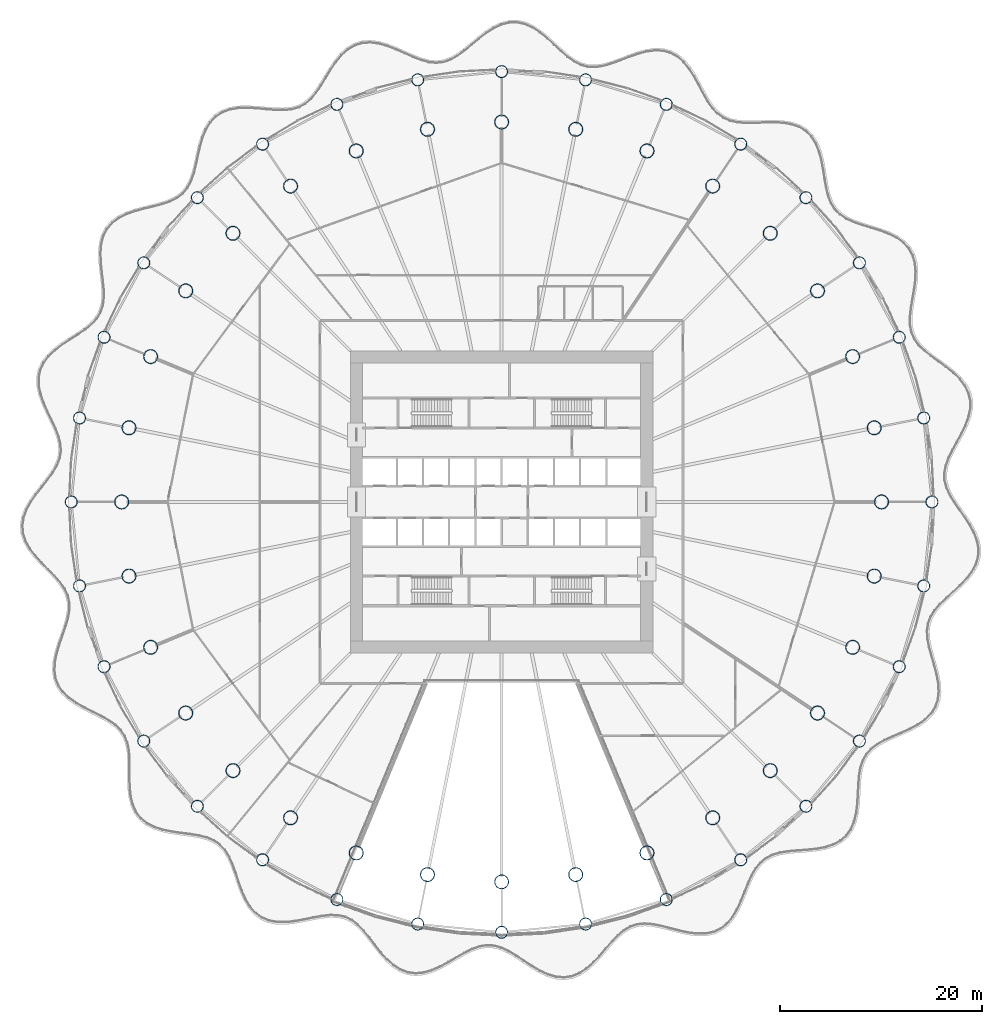
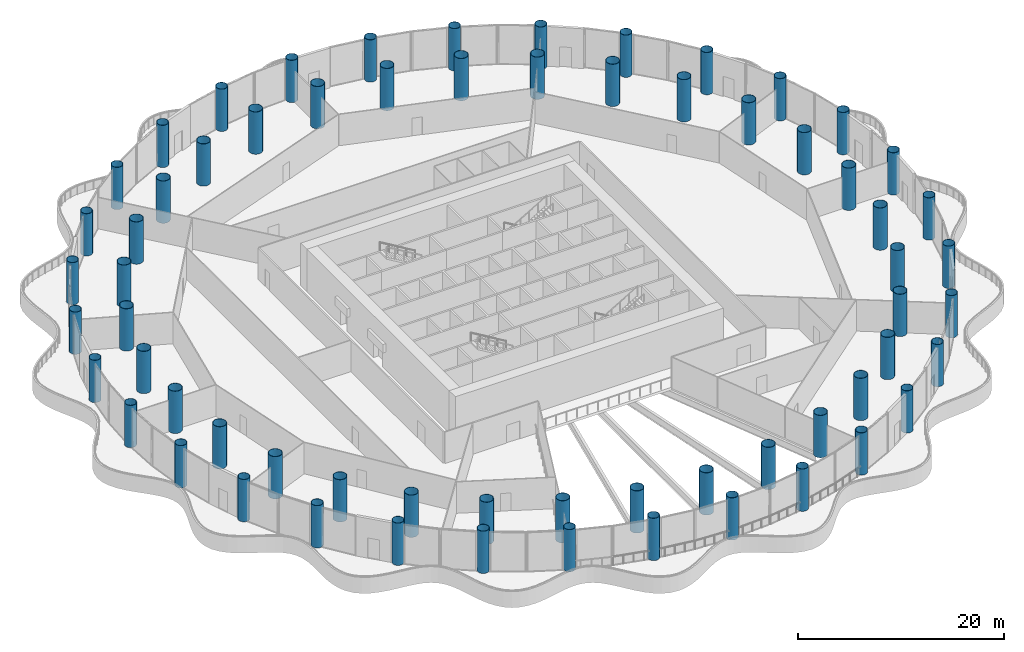
# One storey, part 1 of 36: 64 columns.
"""IFC4 building model written with IfcOpenShell, lengths in metres."""

from ifc_helpers import new_model, si_unit, direction, frame, origin, origin_2d, place, context, subcontext, project, spatial, hollow_circle, extrude, material, material_profile, profile_set, type_object, element, save


model = new_model("IFC4")

# Units and contexts
model_context = context("Model", 3, precision=1e-05, world=origin(), true_north=direction((0.0, 1.0)))
body_context = subcontext(model_context, "Body", "Model", "MODEL_VIEW")
ifc_project = project(units=[si_unit("LENGTHUNIT", "METRE"), si_unit("AREAUNIT", "SQUARE_METRE"), si_unit("VOLUMEUNIT", "CUBIC_METRE"), si_unit("PLANEANGLEUNIT", "RADIAN"), si_unit("MASSUNIT", "GRAM", prefix="KILO")], contexts=[model_context])

# Site, building, storey
site_placement = place(None, origin())
site = spatial("IfcSite", under=ifc_project, at=site_placement, CompositionType="ELEMENT")
building_placement = place(site_placement, origin())
building = spatial("IfcBuilding", under=site, at=building_placement, Name="Corvane Civic Tower", CompositionType="ELEMENT")
storey_placement = place(building_placement, frame((0.0, 0.0, 17.0)))
storey = spatial("IfcBuildingStorey", under=building, at=storey_placement, Name="L03", CompositionType="ELEMENT", Elevation=17.0)

# Columns
ifc_material_1 = material(Name="Steel ASTM A572 Gr 50", Category="steel")
ifc_material_profile_1 = material_profile(ifc_material_1, hollow_circle(Radius=0.60009765625, WallThickness=0.035888671875, at=origin_2d()), Name="CHS1200X36")
ifc_profile_set_1 = profile_set([ifc_material_profile_1], Name="Steel ASTM A572 Gr 50")
column_type_1 = type_object("IfcColumnType", Name="COMPOSITE COLUMN CHS1200X36", PredefinedType="COLUMN", material=ifc_profile_set_1)
for number, where, z_axis, x_axis, name in (
    (1, (0.0, 42.699951171875, 0.0), (0.0, 0.0, 1.0), (1.0, 0.0, 0.0), "COL-L03-G01"),
    (2, (8.330322265625, 41.879638671875, 0.0), (0.0, 0.0, 1.0), (1.0, 0.0, 0.0), "COL-L03-G02"),
    (3, (16.340576171875, 39.44970703125, 0.0), (0.0, 0.0, 1.0), (1.0, 0.0, 0.0), "COL-L03-G03"),
    (4, (23.722900390625, 35.503662109375, 0.0), (0.0, 0.0, 1.0), (1.0, 0.0, 0.0), "COL-L03-G04"),
    (5, (30.193359375, 30.193359375, 0.0), (0.0, 0.0, 1.0), (1.0, 0.0, 0.0), "COL-L03-G05"),
    (6, (35.503662109375, 23.722900390625, 0.0), (0.0, 0.0, 1.0), (1.0, 0.0, 0.0), "COL-L03-G06"),
    (7, (39.44970703125, 16.340576171875, 0.0), (0.0, 0.0, 1.0), (1.0, 0.0, 0.0), "COL-L03-G07"),
    (8, (41.879638671875, 8.330322265625, 0.0), (0.0, 0.0, 1.0), (1.0, 0.0, 0.0), "COL-L03-G08"),
    (9, (42.699951171875, 0.0, 0.0), (0.0, 0.0, 1.0), (1.0, 0.0, 0.0), "COL-L03-G09"),
    (10, (41.879638671875, -8.330322265625, 0.0), (0.0, 0.0, 1.0), (1.0, 0.0, 0.0), "COL-L03-G10"),
    (11, (39.44970703125, -16.340576171875, 0.0), (0.0, 0.0, 1.0), (1.0, 0.0, 0.0), "COL-L03-G11"),
    (12, (35.503662109375, -23.722900390625, 0.0), (0.0, 0.0, 1.0), (1.0, 0.0, 0.0), "COL-L03-G12"),
    (13, (30.193359375, -30.193359375, 0.0), (0.0, 0.0, 1.0), (1.0, 0.0, 0.0), "COL-L03-G13"),
    (14, (23.722900390625, -35.503662109375, 0.0), (0.0, 0.0, 1.0), (1.0, 0.0, 0.0), "COL-L03-G14"),
    (15, (16.340576171875, -39.44970703125, 0.0), (0.0, 0.0, 1.0), (1.0, 0.0, 0.0), "COL-L03-G15"),
    (16, (8.330322265625, -41.879638671875, 0.0), (0.0, 0.0, 1.0), (1.0, 0.0, 0.0), "COL-L03-G16"),
    (17, (0.0, -42.699951171875, 0.0), (0.0, 0.0, 1.0), (1.0, 0.0, 0.0), "COL-L03-G17"),
    (18, (-8.330322265625, -41.879638671875, 0.0), (0.0, 0.0, 1.0), (1.0, 0.0, 0.0), "COL-L03-G18"),
    (19, (-16.340576171875, -39.44970703125, 0.0), (0.0, 0.0, 1.0), (1.0, 0.0, 0.0), "COL-L03-G19"),
    (20, (-23.722900390625, -35.503662109375, 0.0), (0.0, 0.0, 1.0), (1.0, 0.0, 0.0), "COL-L03-G20"),
    (21, (-30.193359375, -30.193359375, 0.0), (0.0, 0.0, 1.0), (1.0, 0.0, 0.0), "COL-L03-G21"),
    (22, (-35.503662109375, -23.722900390625, 0.0), (0.0, 0.0, 1.0), (1.0, 0.0, 0.0), "COL-L03-G22"),
    (23, (-39.44970703125, -16.340576171875, 0.0), (0.0, 0.0, 1.0), (1.0, 0.0, 0.0), "COL-L03-G23"),
    (24, (-41.879638671875, -8.330322265625, 0.0), (0.0, 0.0, 1.0), (1.0, 0.0, 0.0), "COL-L03-G24"),
    (25, (-42.699951171875, 0.0, 0.0), (0.0, 0.0, 1.0), (1.0, 0.0, 0.0), "COL-L03-G25"),
    (26, (-41.879638671875, 8.330322265625, 0.0), (0.0, 0.0, 1.0), (1.0, 0.0, 0.0), "COL-L03-G26"),
    (27, (-39.44970703125, 16.340576171875, 0.0), (0.0, 0.0, 1.0), (1.0, 0.0, 0.0), "COL-L03-G27"),
    (28, (-35.503662109375, 23.722900390625, 0.0), (0.0, 0.0, 1.0), (1.0, 0.0, 0.0), "COL-L03-G28"),
    (29, (-30.193359375, 30.193359375, 0.0), (0.0, 0.0, 1.0), (1.0, 0.0, 0.0), "COL-L03-G29"),
    (30, (-23.722900390625, 35.503662109375, 0.0), (0.0, 0.0, 1.0), (1.0, 0.0, 0.0), "COL-L03-G30"),
    (31, (-16.340576171875, 39.44970703125, 0.0), (0.0, 0.0, 1.0), (1.0, 0.0, 0.0), "COL-L03-G31"),
    (32, (-8.330322265625, 41.879638671875, 0.0), (0.0, 0.0, 1.0), (1.0, 0.0, 0.0), "COL-L03-G32"),
):
    element("IfcColumn", number, at=place(storey_placement, frame(where, z_axis=z_axis, x_axis=x_axis)), inside=storey, type_object=column_type_1, Name=name, PredefinedType="COLUMN", context=body_context, shape_type="SweptSolid", body=[
        extrude(hollow_circle(Radius=0.60009765625, WallThickness=0.035888671875, at=origin_2d()), origin(), (0.0, 0.0, 1.0), 5.0),
    ])
ifc_material_2 = material(Name="Steel ASTM A572 Gr 50", Category="steel")
ifc_material_profile_2 = material_profile(ifc_material_2, hollow_circle(Radius=0.699951171875, WallThickness=0.0400390625, at=origin_2d()), Name="CHS1400X40")
ifc_profile_set_2 = profile_set([ifc_material_profile_2], Name="Steel ASTM A572 Gr 50")
column_type_2 = type_object("IfcColumnType", Name="COMPOSITE COLUMN CHS1400X40", PredefinedType="COLUMN", material=ifc_profile_set_2)
for number, where, z_axis, x_axis, name in (
    (33, (0.0, 37.699951171875, 0.0), (0.0, 0.0, 1.0), (1.0, 0.0, 0.0), "COL-L03-A01"),
    (34, (7.35498046875, 36.9755859375, 0.0), (0.0, 0.0, 1.0), (1.0, 0.0, 0.0), "COL-L03-A02"),
    (35, (14.42724609375, 34.830322265625, 0.0), (0.0, 0.0, 1.0), (1.0, 0.0, 0.0), "COL-L03-A03"),
    (36, (20.945068359375, 31.346435546875, 0.0), (0.0, 0.0, 1.0), (1.0, 0.0, 0.0), "COL-L03-A04"),
    (37, (26.657958984375, 26.657958984375, 0.0), (0.0, 0.0, 1.0), (1.0, 0.0, 0.0), "COL-L03-A05"),
    (38, (31.346435546875, 20.945068359375, 0.0), (0.0, 0.0, 1.0), (1.0, 0.0, 0.0), "COL-L03-A06"),
    (39, (34.830322265625, 14.42724609375, 0.0), (0.0, 0.0, 1.0), (1.0, 0.0, 0.0), "COL-L03-A07"),
    (40, (36.9755859375, 7.35498046875, 0.0), (0.0, 0.0, 1.0), (1.0, 0.0, 0.0), "COL-L03-A08"),
    (41, (37.699951171875, 0.0, 0.0), (0.0, 0.0, 1.0), (1.0, 0.0, 0.0), "COL-L03-A09"),
    (42, (36.9755859375, -7.35498046875, 0.0), (0.0, 0.0, 1.0), (1.0, 0.0, 0.0), "COL-L03-A10"),
    (43, (34.830322265625, -14.42724609375, 0.0), (0.0, 0.0, 1.0), (1.0, 0.0, 0.0), "COL-L03-A11"),
    (44, (31.346435546875, -20.945068359375, 0.0), (0.0, 0.0, 1.0), (1.0, 0.0, 0.0), "COL-L03-A12"),
    (45, (26.657958984375, -26.657958984375, 0.0), (0.0, 0.0, 1.0), (1.0, 0.0, 0.0), "COL-L03-A13"),
    (46, (20.945068359375, -31.346435546875, 0.0), (0.0, 0.0, 1.0), (1.0, 0.0, 0.0), "COL-L03-A14"),
    (47, (14.42724609375, -34.830322265625, 0.0), (0.0, 0.0, 1.0), (1.0, 0.0, 0.0), "COL-L03-A15"),
    (48, (7.35498046875, -36.9755859375, 0.0), (0.0, 0.0, 1.0), (1.0, 0.0, 0.0), "COL-L03-A16"),
    (49, (0.0, -37.699951171875, 0.0), (0.0, 0.0, 1.0), (1.0, 0.0, 0.0), "COL-L03-A17"),
    (50, (-7.35498046875, -36.9755859375, 0.0), (0.0, 0.0, 1.0), (1.0, 0.0, 0.0), "COL-L03-A18"),
    (51, (-14.42724609375, -34.830322265625, 0.0), (0.0, 0.0, 1.0), (1.0, 0.0, 0.0), "COL-L03-A19"),
    (52, (-20.945068359375, -31.346435546875, 0.0), (0.0, 0.0, 1.0), (1.0, 0.0, 0.0), "COL-L03-A20"),
    (53, (-26.657958984375, -26.657958984375, 0.0), (0.0, 0.0, 1.0), (1.0, 0.0, 0.0), "COL-L03-A21"),
    (54, (-31.346435546875, -20.945068359375, 0.0), (0.0, 0.0, 1.0), (1.0, 0.0, 0.0), "COL-L03-A22"),
    (55, (-34.830322265625, -14.42724609375, 0.0), (0.0, 0.0, 1.0), (1.0, 0.0, 0.0), "COL-L03-A23"),
    (56, (-36.9755859375, -7.35498046875, 0.0), (0.0, 0.0, 1.0), (1.0, 0.0, 0.0), "COL-L03-A24"),
    (57, (-37.699951171875, 0.0, 0.0), (0.0, 0.0, 1.0), (1.0, 0.0, 0.0), "COL-L03-A25"),
    (58, (-36.9755859375, 7.35498046875, 0.0), (0.0, 0.0, 1.0), (1.0, 0.0, 0.0), "COL-L03-A26"),
    (59, (-34.830322265625, 14.42724609375, 0.0), (0.0, 0.0, 1.0), (1.0, 0.0, 0.0), "COL-L03-A27"),
    (60, (-31.346435546875, 20.945068359375, 0.0), (0.0, 0.0, 1.0), (1.0, 0.0, 0.0), "COL-L03-A28"),
    (61, (-26.657958984375, 26.657958984375, 0.0), (0.0, 0.0, 1.0), (1.0, 0.0, 0.0), "COL-L03-A29"),
    (62, (-20.945068359375, 31.346435546875, 0.0), (0.0, 0.0, 1.0), (1.0, 0.0, 0.0), "COL-L03-A30"),
    (63, (-14.42724609375, 34.830322265625, 0.0), (0.0, 0.0, 1.0), (1.0, 0.0, 0.0), "COL-L03-A31"),
    (64, (-7.35498046875, 36.9755859375, 0.0), (0.0, 0.0, 1.0), (1.0, 0.0, 0.0), "COL-L03-A32"),
):
    element("IfcColumn", number, at=place(storey_placement, frame(where, z_axis=z_axis, x_axis=x_axis)), inside=storey, type_object=column_type_2, Name=name, PredefinedType="COLUMN", context=body_context, shape_type="SweptSolid", body=[
        extrude(hollow_circle(Radius=0.699951171875, WallThickness=0.0400390625, at=origin_2d()), origin(), (0.0, 0.0, 1.0), 5.0),
    ])

save(model, "model.ifc")
